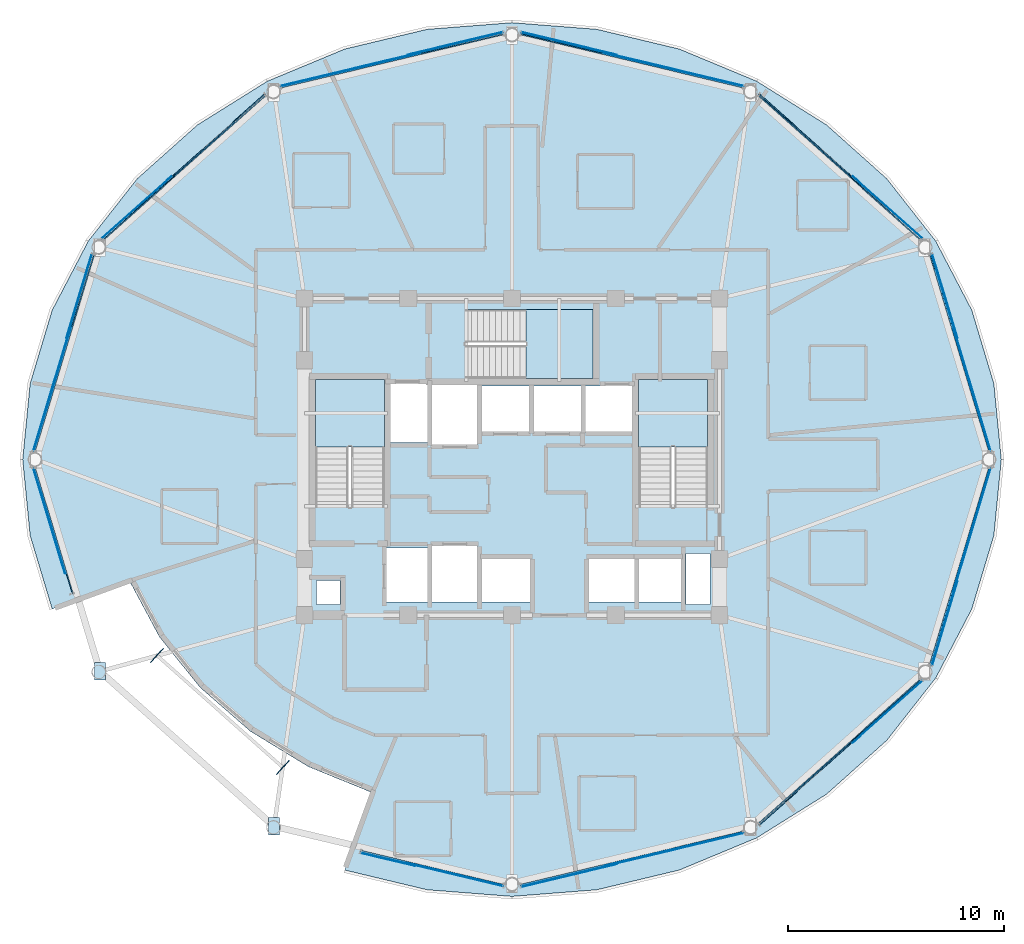
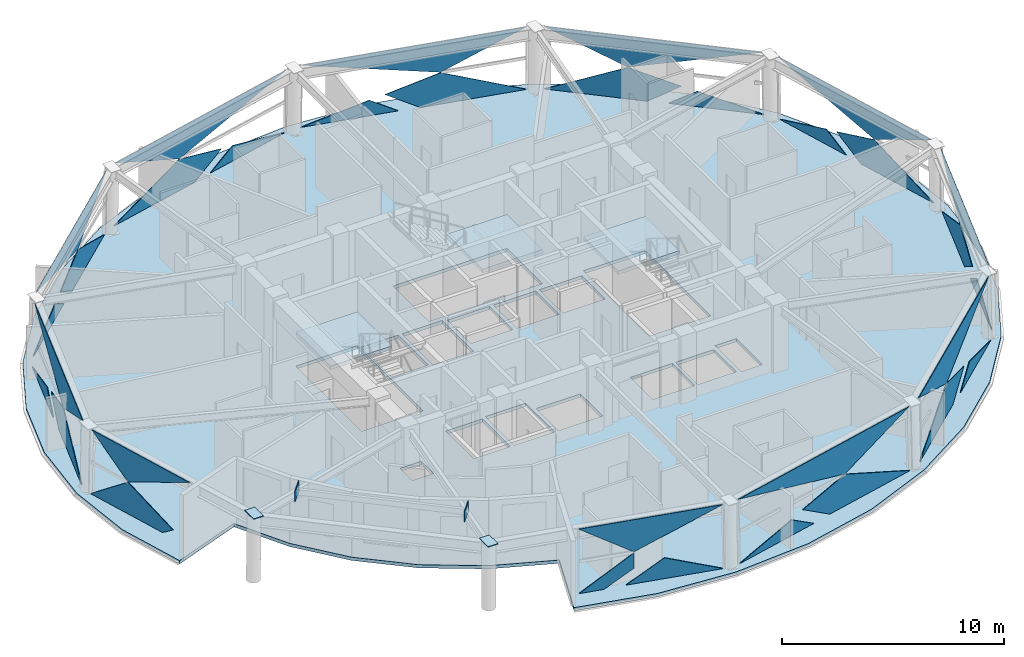
# One storey, part 9 of 18: 36 plates, 4 slabs, 14 elements without a shape of their own.
"""IFC4 building model written with IfcOpenShell, lengths in metres."""

from ifc_helpers import new_model, si_unit, direction, frame, origin, origin_2d, place, context, subcontext, project, spatial, polyline, rectangle, outline, extrude, material, layer, layer_set, type_object, element, aggregate, save


model = new_model("IFC4")

# Units and contexts
model_context = context("Model", 3, precision=1e-05, world=origin(), true_north=direction((0.0, 1.0)))
body_context = subcontext(model_context, "Body", "Model", "MODEL_VIEW")
ifc_project = project(units=[si_unit("LENGTHUNIT", "METRE"), si_unit("AREAUNIT", "SQUARE_METRE"), si_unit("VOLUMEUNIT", "CUBIC_METRE"), si_unit("PLANEANGLEUNIT", "RADIAN"), si_unit("MASSUNIT", "GRAM", prefix="KILO")], contexts=[model_context])

# Site, building, storey
site_placement = place(None, origin())
site = spatial("IfcSite", under=ifc_project, at=site_placement, CompositionType="ELEMENT")
building_placement = place(site_placement, origin())
building = spatial("IfcBuilding", under=site, at=building_placement, Name="Vantalir Tower", CompositionType="ELEMENT")
storey_placement = place(building_placement, frame((0.0, 0.0, 216.14990234375)))
storey = spatial("IfcBuildingStorey", under=building, at=storey_placement, Name="L54", CompositionType="ELEMENT", Elevation=216.14990234375)

# Curtain wall, plates
ifc_material_1 = material(Name="Champagne-silver PVDF aluminium and double-silver Low-E glass", Category="aluminium")
ifc_layer_1 = layer(ifc_material_1, 0.2099609375)
ifc_layer_set_1 = layer_set([ifc_layer_1], Name="Champagne-silver PVDF aluminium and double-silver Low-E glass")
curtain_wall_type = type_object("IfcCurtainWallType", Name="CW-DIAMOND-Z3", PredefinedType="USERDEFINED", material=ifc_layer_set_1)
curtain_wall_1_placement = place(storey_placement, origin())
curtain_wall_1 = element("IfcCurtainWall", 1, at=curtain_wall_1_placement, inside=storey, type_object=curtain_wall_type, Name="L54 Quilted Pyramid-Diamond Curtain Wall S01", ObjectType="UNITISED CURTAIN WALL", PredefinedType="USERDEFINED")
ifc_material_2 = material(Name="Double-silver Low-E acoustic glass IGU", Category="glass")
ifc_layer_2 = layer(ifc_material_2, 0.031982421875)
ifc_layer_set_2 = layer_set([ifc_layer_2], Name="Double-silver Low-E acoustic glass IGU")
plate_type_1 = type_object("IfcPlateType", Name="CWP-IGU-32", PredefinedType="CURTAIN_PANEL", material=ifc_layer_set_2)
plate_1_placement = place(storey_placement, frame((53.654541015625, 25.406982421875, 0.047119140625), z_axis=(0.95760454725, 0.288010108952, 0.006611219886), x_axis=(-0.288016055523, 0.95762557858, -5.4872175e-05)))
plate_1 = element("IfcPlate", 2, at=plate_1_placement, type_object=plate_type_1, Name="CW-L54-S01 Pyramid Diamond Facet 1L", PredefinedType="CURTAIN_PANEL", context=body_context, shape_type="SweptSolid", body=[
    extrude(outline(polyline([(0.0, 0.0), (4.4546182034101145, -5.421010862427522e-20), (5.961575957374201, 1.04038892573257), (3.6214843118247773, 1.7255779356184748), (0.0, 0.0)])), origin(), (0.0, 0.0, -1.0), 0.031982421875),
])
plate_2_placement = place(storey_placement, frame((52.12744140625, 30.60986328125, 0.047119140625), z_axis=(0.957596155896, 0.288036523623, 0.00667557279), x_axis=(-0.288042941762, 0.957617493418, 0.0)))
plate_2 = element("IfcPlate", 3, at=plate_2_placement, type_object=plate_type_1, Name="CW-L54-S01 Pyramid Diamond Facet 1L Infill Light", PredefinedType="CURTAIN_PANEL", context=body_context, shape_type="SweptSolid", body=[
    extrude(outline(polyline([(0.0, 0.0), (4.0921361595915435, 0.0), (1.2188009298223506, 0.8413273401084321), (0.0, 0.0)])), origin(), (0.0, 0.0, -1.0), 0.031982421875),
])
plate_3_placement = place(storey_placement, frame((50.850341796875, 34.486083984375, 3.5234375), z_axis=(0.957076899774, 0.287832473998, 0.034004041396), x_axis=(0.287999864098, -0.957630449399, -2.5751061e-05)))
plate_3 = element("IfcPlate", 4, at=plate_3_placement, type_object=plate_type_1, Name="CW-L54-S01 Pyramid Diamond Facet 2U", PredefinedType="CURTAIN_PANEL", context=body_context, shape_type="SweptSolid", body=[
    extrude(outline(polyline([(0.0, 0.0), (9.480798744648109, -1.9651164376299768e-17), (5.880358123687033, 1.7266771986631684), (0.0, 0.0)])), origin(), (0.0, 0.0, -1.0), 0.031982421875),
])
aggregate(curtain_wall_1, [plate_1, plate_2, plate_3])

curtain_wall_2_placement = place(storey_placement, origin())
curtain_wall_2 = element("IfcCurtainWall", 5, at=curtain_wall_2_placement, inside=storey, type_object=curtain_wall_type, Name="L54 Quilted Pyramid-Diamond Curtain Wall S02", ObjectType="UNITISED CURTAIN WALL", PredefinedType="USERDEFINED")
plate_4_placement = place(storey_placement, frame((46.483154296875, 38.76513671875, 0.046875), z_axis=(0.665307498172, 0.746549951813, 0.005394657073), x_axis=(-0.746560815168, 0.665317179439, -1.4486e-08)))
plate_4 = element("IfcPlate", 6, at=plate_4_placement, type_object=plate_type_1, Name="CW-L54-S02 Pyramid Diamond Facet 1L", PredefinedType="CURTAIN_PANEL", context=body_context, shape_type="SweptSolid", body=[
    extrude(outline(polyline([(0.0, 0.0), (4.724148169923139, -1.734723475976807e-18), (0.8929710255732821, 1.7258552044430655), (-1.5848268188138863, 1.040542393567704), (0.0, 0.0)])), origin(), (0.0, 0.0, -1.0), 0.031982421875),
])
plate_5_placement = place(storey_placement, frame((50.498779296875, 35.234619140625, 0.046875), z_axis=(0.665306292756, 0.74655220943, 0.005228328077), x_axis=(-0.746562413296, 0.665315386155, 0.0)))
plate_5 = element("IfcPlate", 7, at=plate_5_placement, type_object=plate_type_1, Name="CW-L54-S02 Pyramid Diamond Facet 1L Infill Light", PredefinedType="CURTAIN_PANEL", context=body_context, shape_type="SweptSolid", body=[
    extrude(outline(polyline([(0.0, 0.0), (4.345110906473897, 0.0), (3.057291048070157, 0.8457146840597036), (0.0, 0.0)])), origin(), (0.0, 0.0, -1.0), 0.031982421875),
])
plate_6_placement = place(storey_placement, frame((42.919189453125, 41.852294921875, 3.523193359375), z_axis=(0.664961762498, 0.746153125687, 0.032884151871), x_axis=(0.746556353236, -0.66532218575, 2.4328891e-05)))
plate_6 = element("IfcPlate", 8, at=plate_6_placement, type_object=plate_type_1, Name="CW-L54-S02 Pyramid Diamond Facet 2U", PredefinedType="CURTAIN_PANEL", context=body_context, shape_type="SweptSolid", body=[
    extrude(outline(polyline([(0.0, 0.0), (10.035008323591855, 2.222614453595284e-17), (3.821622632324469, 1.7268569904928193), (0.0, 0.0)])), origin(), (0.0, 0.0, -1.0), 0.031982421875),
])
aggregate(curtain_wall_2, [plate_4, plate_5, plate_6])

curtain_wall_3_placement = place(storey_placement, origin())
curtain_wall_3 = element("IfcCurtainWall", 9, at=curtain_wall_3_placement, inside=storey, type_object=curtain_wall_type, Name="L54 Quilted Pyramid-Diamond Curtain Wall S03", ObjectType="UNITISED CURTAIN WALL", PredefinedType="USERDEFINED")
plate_7_placement = place(storey_placement, frame((42.225830078125, 42.289794921875, 0.046875), z_axis=(0.232273504654, 0.972639990188, 0.004524215222), x_axis=(-0.97264989201, 0.232276096875, -4.892923e-05)))
plate_7 = element("IfcPlate", 10, at=plate_7_placement, type_object=plate_type_1, Name="CW-L54-S03 Pyramid Diamond Facet 1L", PredefinedType="CURTAIN_PANEL", context=body_context, shape_type="SweptSolid", body=[
    extrude(outline(polyline([(0.0, 0.0), (4.982443629030497, -4.87890977618477e-19), (6.646710154073289, 1.040130786552828), (4.035457753960463, 1.7262896935429606), (0.0, 0.0)])), origin(), (0.0, 0.0, -1.0), 0.031982421875),
])
plate_8_placement = place(storey_placement, frame((36.378662109375, 43.722900390625, 0.046875), z_axis=(0.232290391461, 0.972636097823, 0.004493912174), x_axis=(-0.972645919285, 0.232292737077, 0.0)))
plate_8 = element("IfcPlate", 11, at=plate_8_placement, type_object=plate_type_1, Name="CW-L54-S03 Pyramid Diamond Facet 1L Infill Light", PredefinedType="CURTAIN_PANEL", context=body_context, shape_type="SweptSolid", body=[
    extrude(outline(polyline([(0.0, 0.0), (4.582377987333523, 8.673617379884035e-19), (1.3570361220314318, 0.8479089525334353), (0.0, 0.0)])), origin(), (0.0, 0.0, -1.0), 0.031982421875),
])
plate_9_placement = place(storey_placement, frame((31.913330078125, 44.687255859375, 3.523681640625), z_axis=(0.232139124389, 0.972163152551, 0.031784143075), x_axis=(0.972654750392, -0.232255755594, -2.3110025e-05)))
plate_9 = element("IfcPlate", 12, at=plate_9_placement, type_object=plate_type_1, Name="CW-L54-S03 Pyramid Diamond Facet 2U", PredefinedType="CURTAIN_PANEL", context=body_context, shape_type="SweptSolid", body=[
    extrude(outline(polyline([(0.0, 0.0), (10.56427331575007, -6.749158523722265e-18), (6.551699680172035, 1.7272837894415298), (0.0, 0.0)])), origin(), (0.0, 0.0, -1.0), 0.031982421875),
])
aggregate(curtain_wall_3, [plate_7, plate_8, plate_9])

curtain_wall_4_placement = place(storey_placement, origin())
curtain_wall_4 = element("IfcCurtainWall", 13, at=curtain_wall_4_placement, inside=storey, type_object=curtain_wall_type, Name="L54 Quilted Pyramid-Diamond Curtain Wall S04", ObjectType="UNITISED CURTAIN WALL", PredefinedType="USERDEFINED")
plate_10_placement = place(storey_placement, frame((25.620849609375, 43.44677734375, 0.046630859375), z_axis=(-0.232257495993, 0.972644253113, 0.004428593513), x_axis=(-0.972653739701, -0.232259984178, 4.8951783e-05)))
plate_10 = element("IfcPlate", 14, at=plate_10_placement, type_object=plate_type_1, Name="CW-L54-S04 Pyramid Diamond Facet 1L", PredefinedType="CURTAIN_PANEL", context=body_context, shape_type="SweptSolid", body=[
    extrude(outline(polyline([(0.0, 0.0), (4.9816745326677365, 1.0842021724855044e-19), (0.9466916161042193, 1.7262889476530454), (-1.6640291137241996, 1.0401304419649624), (0.0, 0.0)])), origin(), (0.0, 0.0, -1.0), 0.031982421875),
])
plate_11_placement = place(storey_placement, frame((31.078369140625, 44.787353515625, 0.046875), z_axis=(-0.232302408811, 0.972633135972, 0.004513720174), x_axis=(-0.972643044177, -0.232304775273, 0.0)))
plate_11 = element("IfcPlate", 15, at=plate_11_placement, type_object=plate_type_1, Name="CW-L54-S04 Pyramid Diamond Facet 1L Infill Light", PredefinedType="CURTAIN_PANEL", context=body_context, shape_type="SweptSolid", body=[
    extrude(outline(polyline([(0.0, 0.0), (4.582140525301842, -8.673617379884035e-19), (3.225104450535139, 0.8479090281782801), (0.0, 0.0)])), origin(), (0.0, 0.0, -1.0), 0.031982421875),
])
plate_12_placement = place(storey_placement, frame((20.812255859375, 42.233642578125, 3.5234375), z_axis=(-0.232158868198, 0.972153420101, 0.031937246332), x_axis=(0.972649763247, 0.232276640068, 2.3112103e-05)))
plate_12 = element("IfcPlate", 16, at=plate_12_placement, type_object=plate_type_1, Name="CW-L54-S04 Pyramid Diamond Facet 2U", PredefinedType="CURTAIN_PANEL", context=body_context, shape_type="SweptSolid", body=[
    extrude(outline(polyline([(0.0, 0.0), (10.563323460030409, -8.294146619514109e-18), (4.012156591387421, 1.7272922223718603), (0.0, 0.0)])), origin(), (0.0, 0.0, -1.0), 0.031982421875),
])
aggregate(curtain_wall_4, [plate_10, plate_11, plate_12])

curtain_wall_5_placement = place(storey_placement, origin())
curtain_wall_5 = element("IfcCurtainWall", 17, at=curtain_wall_5_placement, inside=storey, type_object=curtain_wall_type, Name="L54 Quilted Pyramid-Diamond Curtain Wall S05", ObjectType="UNITISED CURTAIN WALL", PredefinedType="USERDEFINED")
plate_13_placement = place(storey_placement, frame((20.044677734375, 41.908203125, 0.046875), z_axis=(-0.665283152326, 0.746572443175, 0.005283400597), x_axis=(-0.746582863398, -0.665292438015, 7.626e-09)))
plate_13 = element("IfcPlate", 18, at=plate_13_placement, type_object=plate_type_1, Name="CW-L54-S05 Pyramid Diamond Facet 1L", PredefinedType="CURTAIN_PANEL", context=body_context, shape_type="SweptSolid", body=[
    extrude(outline(polyline([(0.0, 0.0), (4.7243304381154445, 3.469446951953614e-18), (6.309339334520946, 1.040541818744279), (3.8315413638531344, 1.7258541731261956), (0.0, 0.0)])), origin(), (0.0, 0.0, -1.0), 0.031982421875),
])
plate_14_placement = place(storey_placement, frame((15.74560546875, 38.12548828125, 0.046875), z_axis=(-0.665250079549, 0.746601495408, 0.005342163976), x_axis=(-0.74661214916, -0.665259572443, 0.0)))
plate_14 = element("IfcPlate", 19, at=plate_14_placement, type_object=plate_type_1, Name="CW-L54-S05 Pyramid Diamond Facet 1L Infill Light", PredefinedType="CURTAIN_PANEL", context=body_context, shape_type="SweptSolid", body=[
    extrude(outline(polyline([(0.0, 0.0), (4.345475451045319, 0.0), (1.287819524247538, 0.8457151928989325), (0.0, 0.0)])), origin(), (0.0, 0.0, -1.0), 0.031982421875),
])
plate_15_placement = place(storey_placement, frame((12.589111328125, 35.17578125, 3.5234375), z_axis=(-0.664914530418, 0.746197380828, 0.032834982621), x_axis=(0.746599425628, 0.665273851178, -2.4327124e-05)))
plate_15 = element("IfcPlate", 20, at=plate_15_placement, type_object=plate_type_1, Name="CW-L54-S05 Pyramid Diamond Facet 2U", PredefinedType="CURTAIN_PANEL", context=body_context, shape_type="SweptSolid", body=[
    extrude(outline(polyline([(0.0, 0.0), (10.035737403562766, -1.6750923564901044e-17), (6.213928824521019, 1.726854195198198), (0.0, 0.0)])), origin(), (0.0, 0.0, -1.0), 0.031982421875),
])
aggregate(curtain_wall_5, [plate_13, plate_14, plate_15])

curtain_wall_6_placement = place(storey_placement, origin())
curtain_wall_6 = element("IfcCurtainWall", 21, at=curtain_wall_6_placement, inside=storey, type_object=curtain_wall_type, Name="L54 Quilted Pyramid-Diamond Curtain Wall S06", ObjectType="UNITISED CURTAIN WALL", PredefinedType="USERDEFINED")
plate_16_placement = place(storey_placement, frame((10.62841796875, 29.6728515625, 0.046875), z_axis=(-0.95760454725, 0.288010108952, 0.006611219886), x_axis=(-0.288016055523, -0.95762557858, 5.4872175e-05)))
plate_16 = element("IfcPlate", 22, at=plate_16_placement, type_object=plate_type_1, Name="CW-L54-S06 Pyramid Diamond Facet 1L", PredefinedType="CURTAIN_PANEL", context=body_context, shape_type="SweptSolid", body=[
    extrude(outline(polyline([(0.0, 0.0), (4.4546182034101145, 5.421010862427522e-20), (0.8331338915853376, 1.7255779356184748), (-1.506957753964087, 1.04038892573257), (0.0, 0.0)])), origin(), (0.0, 0.0, -1.0), 0.031982421875),
])
plate_17_placement = place(storey_placement, frame((12.05126953125, 34.528564453125, 0.047119140625), z_axis=(-0.957596155896, 0.288036523623, 0.00667557279), x_axis=(-0.288042941762, -0.957617493418, 0.0)))
plate_17 = element("IfcPlate", 23, at=plate_17_placement, type_object=plate_type_1, Name="CW-L54-S06 Pyramid Diamond Facet 1L Infill Light", PredefinedType="CURTAIN_PANEL", context=body_context, shape_type="SweptSolid", body=[
    extrude(outline(polyline([(0.0, 0.0), (4.0921361595915435, 0.0), (2.873335229769193, 0.8413273401084321), (0.0, 0.0)])), origin(), (0.0, 0.0, -1.0), 0.031982421875),
])
plate_18_placement = place(storey_placement, frame((9.419189453125, 25.406982421875, 3.523193359375), z_axis=(-0.957076899774, 0.287832473998, 0.034004041396), x_axis=(0.287999864098, 0.957630449399, 2.5751061e-05)))
plate_18 = element("IfcPlate", 24, at=plate_18_placement, type_object=plate_type_1, Name="CW-L54-S06 Pyramid Diamond Facet 2U", PredefinedType="CURTAIN_PANEL", context=body_context, shape_type="SweptSolid", body=[
    extrude(outline(polyline([(0.0, 0.0), (9.480798744648109, 1.9651164376299768e-17), (3.6004406209610753, 1.7266771986631684), (0.0, 0.0)])), origin(), (0.0, 0.0, -1.0), 0.031982421875),
])
aggregate(curtain_wall_6, [plate_16, plate_17, plate_18])

curtain_wall_7_placement = place(storey_placement, origin())
curtain_wall_7 = element("IfcCurtainWall", 25, at=curtain_wall_7_placement, inside=storey, type_object=curtain_wall_type, Name="L54 Quilted Pyramid-Diamond Curtain Wall S07", ObjectType="UNITISED CURTAIN WALL", PredefinedType="USERDEFINED")
plate_19_placement = place(storey_placement, frame((9.34521484375, 24.59326171875, 0.048095703125), z_axis=(-0.957604673803, -0.288004805975, 0.00682058985), x_axis=(0.288011146533, -0.957627054998, -5.4855106e-05)))
plate_19 = element("IfcPlate", 26, at=plate_19_placement, type_object=plate_type_1, Name="CW-L54-S07 Pyramid Diamond Facet 1L", PredefinedType="CURTAIN_PANEL", context=body_context, shape_type="SweptSolid", body=[
    extrude(outline(polyline([(0.0, 0.0), (4.456395403696231, -1.2739375526704677e-18), (5.097200352702699, 0.44242857111075945), (2.3073494585652456, 1.7233108733870985), (0.0, 0.0)])), origin(), (0.0, 0.0, -1.0), 0.031982421875),
])
plate_20_placement = place(storey_placement, frame((11.157958984375, 18.8115234375, 3.5224609375), z_axis=(-0.957079627106, -0.287824217123, 0.033997167763), x_axis=(-0.287993329722, 0.957632411468, -8.0874285e-05)))
plate_20 = element("IfcPlate", 27, at=plate_20_placement, type_object=plate_type_1, Name="CW-L54-S07 Pyramid Diamond Facet 2U", PredefinedType="CURTAIN_PANEL", context=body_context, shape_type="SweptSolid", body=[
    extrude(outline(polyline([(0.0, 0.0), (6.037534039166458, 9.107298248878237e-18), (3.7513932100258685, 1.7243262095135388), (0.0, 0.0)])), origin(), (0.0, 0.0, -1.0), 0.031982421875),
])
aggregate(curtain_wall_7, [plate_19, plate_20])

curtain_wall_8_placement = place(storey_placement, origin())
curtain_wall_8 = element("IfcCurtainWall", 28, at=curtain_wall_8_placement, inside=storey, type_object=curtain_wall_type, Name="L54 Quilted Pyramid-Diamond Curtain Wall S09", ObjectType="UNITISED CURTAIN WALL", PredefinedType="USERDEFINED")
plate_21_placement = place(storey_placement, frame((26.631103515625, 6.311767578125, 0.047607421875), z_axis=(-0.232249841092, -0.972647097125, 0.004199495931), x_axis=(0.972655620566, -0.232252106429, -5.3293278e-05)))
plate_21 = element("IfcPlate", 29, at=plate_21_placement, type_object=plate_type_1, Name="CW-L54-S09 Pyramid Diamond Facet 1L", PredefinedType="CURTAIN_PANEL", context=body_context, shape_type="SweptSolid", body=[
    extrude(outline(polyline([(0.0, 0.0), (4.581077261734744, 0.0), (1.81531926837113, 1.1343840925860929), (0.0, 0.0)])), origin(), (0.0, 0.0, -1.0), 0.031982421875),
])
plate_22_placement = place(storey_placement, frame((24.478759765625, 6.78857421875, 0.048095703125), z_axis=(-0.232114254368, -0.972679837315, 0.004111812195), x_axis=(0.972687839102, -0.232117047905, -0.00020912634)))
plate_22 = element("IfcPlate", 30, at=plate_22_placement, type_object=plate_type_1, Name="CW-L54-S09 Pyramid Diamond Facet 1L Infill Light", PredefinedType="CURTAIN_PANEL", context=body_context, shape_type="SweptSolid", body=[
    extrude(outline(polyline([(0.0, 0.0), (1.1666189187992593, 2.439454888092385e-19), (2.5814437832183104, 0.8843364054985182), (2.581187198803148, 1.7241873897949849), (0.0, 0.0)])), origin(), (0.0, 0.0, -1.0), 0.031982421875),
])
plate_23_placement = place(storey_placement, frame((31.086669921875, 5.3125, 3.522705078125), z_axis=(-0.232148425051, -0.972159447293, 0.031829511247), x_axis=(-0.972652544316, 0.232264992481, -3.6116466e-05)))
plate_23 = element("IfcPlate", 31, at=plate_23_placement, type_object=plate_type_1, Name="CW-L54-S09 Pyramid Diamond Facet 2U", PredefinedType="CURTAIN_PANEL", context=body_context, shape_type="SweptSolid", body=[
    extrude(outline(polyline([(0.0, 0.0), (6.759814910576739, -4.336808689942018e-18), (4.188524403189228, 1.724843776542061), (0.0, 0.0)])), origin(), (0.0, 0.0, -1.0), 0.031982421875),
])
aggregate(curtain_wall_8, [plate_21, plate_22, plate_23])

curtain_wall_9_placement = place(storey_placement, origin())
curtain_wall_9 = element("IfcCurtainWall", 32, at=curtain_wall_9_placement, inside=storey, type_object=curtain_wall_type, Name="L54 Quilted Pyramid-Diamond Curtain Wall S10", ObjectType="UNITISED CURTAIN WALL", PredefinedType="USERDEFINED")
plate_24_placement = place(storey_placement, frame((37.379638671875, 6.552978515625, 0.046630859375), z_axis=(0.232273504654, -0.972639990188, 0.004524215222), x_axis=(0.97264989201, 0.232276096875, 4.892923e-05)))
plate_24 = element("IfcPlate", 33, at=plate_24_placement, type_object=plate_type_1, Name="CW-L54-S10 Pyramid Diamond Facet 1L", PredefinedType="CURTAIN_PANEL", context=body_context, shape_type="SweptSolid", body=[
    extrude(outline(polyline([(0.0, 0.0), (4.982443629030497, 4.87890977618477e-19), (0.9469858750700351, 1.7262896935429606), (-1.6642665250427915, 1.040130786552828), (0.0, 0.0)])), origin(), (0.0, 0.0, -1.0), 0.031982421875),
])
plate_25_placement = place(storey_placement, frame((31.921630859375, 5.212646484375, 0.046875), z_axis=(0.232290391461, -0.972636097823, 0.004493912174), x_axis=(0.972645919285, 0.232292737077, 0.0)))
plate_25 = element("IfcPlate", 34, at=plate_25_placement, type_object=plate_type_1, Name="CW-L54-S10 Pyramid Diamond Facet 1L Infill Light", PredefinedType="CURTAIN_PANEL", context=body_context, shape_type="SweptSolid", body=[
    extrude(outline(polyline([(0.0, 0.0), (4.582377987333523, -8.673617379884035e-19), (3.225341865302091, 0.8479089525334353), (0.0, 0.0)])), origin(), (0.0, 0.0, -1.0), 0.031982421875),
])
plate_26_placement = place(storey_placement, frame((42.188720703125, 7.766357421875, 3.5234375), z_axis=(0.232139124389, -0.972163152551, 0.031784143075), x_axis=(-0.972654750392, -0.232255755594, 2.3110025e-05)))
plate_26 = element("IfcPlate", 35, at=plate_26_placement, type_object=plate_type_1, Name="CW-L54-S10 Pyramid Diamond Facet 2U", PredefinedType="CURTAIN_PANEL", context=body_context, shape_type="SweptSolid", body=[
    extrude(outline(polyline([(0.0, 0.0), (10.56427331575007, 6.749158523722265e-18), (4.0125736355780335, 1.7272837894415298), (0.0, 0.0)])), origin(), (0.0, 0.0, -1.0), 0.031982421875),
])
aggregate(curtain_wall_9, [plate_24, plate_25, plate_26])

curtain_wall_10_placement = place(storey_placement, origin())
curtain_wall_10 = element("IfcCurtainWall", 36, at=curtain_wall_10_placement, inside=storey, type_object=curtain_wall_type, Name="L54 Quilted Pyramid-Diamond Curtain Wall S11", ObjectType="UNITISED CURTAIN WALL", PredefinedType="USERDEFINED")
plate_27_placement = place(storey_placement, frame((42.956298828125, 8.091552734375, 0.046875), z_axis=(0.665276684601, -0.746576880396, 0.005467594015), x_axis=(0.746588039766, 0.665286629115, 5.0434e-08)))
plate_27 = element("IfcPlate", 37, at=plate_27_placement, type_object=plate_type_1, Name="CW-L54-S11 Pyramid Diamond Facet 1L", PredefinedType="CURTAIN_PANEL", context=body_context, shape_type="SweptSolid", body=[
    extrude(outline(polyline([(0.0, 0.0), (4.724330437919381, 1.734723475976807e-18), (6.308812367663176, 1.0405425789810738), (3.831176821675129, 1.7258559202358346), (0.0, 0.0)])), origin(), (0.0, 0.0, -1.0), 0.031982421875),
])
plate_28_placement = place(storey_placement, frame((47.255126953125, 11.8740234375, 0.046875), z_axis=(0.665270540668, -0.746582008896, 0.005514681491), x_axis=(0.746593361573, 0.665280656907, 0.0)))
plate_28 = element("IfcPlate", 38, at=plate_28_placement, type_object=plate_type_1, Name="CW-L54-S11 Pyramid Diamond Facet 1L Infill Light", PredefinedType="CURTAIN_PANEL", context=body_context, shape_type="SweptSolid", body=[
    extrude(outline(polyline([(0.0, 0.0), (4.344603783931998, -1.734723475976807e-18), (1.2879820733586986, 0.8457159849332365), (0.0, 0.0)])), origin(), (0.0, 0.0, -1.0), 0.031982421875),
])
plate_29_placement = place(storey_placement, frame((50.410888671875, 14.82421875, 3.5234375), z_axis=(0.66495944892, -0.746150533482, 0.032989584354), x_axis=(-0.746556353236, -0.66532218575, -2.4328891e-05)))
plate_29 = element("IfcPlate", 39, at=plate_29_placement, type_object=plate_type_1, Name="CW-L54-S11 Pyramid Diamond Facet 2U", PredefinedType="CURTAIN_PANEL", context=body_context, shape_type="SweptSolid", body=[
    extrude(outline(polyline([(0.0, 0.0), (10.035008323591855, 1.7509865085640897e-17), (6.213548123441643, 1.7268629897727168), (0.0, 0.0)])), origin(), (0.0, 0.0, -1.0), 0.031982421875),
])
aggregate(curtain_wall_10, [plate_27, plate_28, plate_29])

curtain_wall_11_placement = place(storey_placement, origin())
curtain_wall_11 = element("IfcCurtainWall", 40, at=curtain_wall_11_placement, inside=storey, type_object=curtain_wall_type, Name="L54 Quilted Pyramid-Diamond Curtain Wall S12", ObjectType="UNITISED CURTAIN WALL", PredefinedType="USERDEFINED")
plate_30_placement = place(storey_placement, frame((52.37158203125, 20.326904296875, 0.046875), z_axis=(0.957618312408, -0.287964860491, 0.006588388544), x_axis=(0.287970765207, 0.957639198967, 5.4661464e-05)))
plate_30 = element("IfcPlate", 41, at=plate_30_placement, type_object=plate_type_1, Name="CW-L54-S12 Pyramid Diamond Facet 1L", PredefinedType="CURTAIN_PANEL", context=body_context, shape_type="SweptSolid", body=[
    extrude(outline(polyline([(0.0, 0.0), (4.454851999163616, 1.8973538018496328e-18), (0.8331340666020515, 1.7255778511178728), (-1.506887325384908, 1.0406316676022045), (0.0, 0.0)])), origin(), (0.0, 0.0, -1.0), 0.031982421875),
])
plate_31_placement = place(storey_placement, frame((50.94873046875, 15.470458984375, 0.047119140625), z_axis=(0.95761760146, -0.287971210206, 0.006411822396), x_axis=(0.287977129847, 0.957637286599, 0.0)))
plate_31 = element("IfcPlate", 42, at=plate_31_placement, type_object=plate_type_1, Name="CW-L54-S12 Pyramid Diamond Facet 1L Infill Light", PredefinedType="CURTAIN_PANEL", context=body_context, shape_type="SweptSolid", body=[
    extrude(outline(polyline([(0.0, 0.0), (4.093071342590703, -8.673617379884035e-19), (2.8741073103744004, 0.841570033641898), (0.0, 0.0)])), origin(), (0.0, 0.0, -1.0), 0.031982421875),
])
plate_32_placement = place(storey_placement, frame((53.580810546875, 24.593017578125, 3.523193359375), z_axis=(0.957075574037, -0.287832074199, 0.034044715365), x_axis=(-0.287999864098, -0.957630449399, 2.5751061e-05)))
plate_32 = element("IfcPlate", 43, at=plate_32_placement, type_object=plate_type_1, Name="CW-L54-S12 Pyramid Diamond Facet 2U", PredefinedType="CURTAIN_PANEL", context=body_context, shape_type="SweptSolid", body=[
    extrude(outline(polyline([(0.0, 0.0), (9.480798744648109, 1.1980434005964824e-17), (3.6006744174575105, 1.726679597018169), (0.0, 0.0)])), origin(), (0.0, 0.0, -1.0), 0.031982421875),
])
aggregate(curtain_wall_11, [plate_30, plate_31, plate_32])

# Plates
ifc_material_3 = material(Name="Steel S460", Category="steel")
ifc_layer_3 = layer(ifc_material_3, 0.035888671875)
ifc_layer_set_3 = layer_set([ifc_layer_3], Name="Steel S460")
plate_type_2 = type_object("IfcPlateType", Name="PLT-KN-Z2", PredefinedType="USERDEFINED", material=ifc_layer_set_3)
for number, where, z_axis, x_axis, name in (
    (44, (15.074951171875, 15.93896484375, 3.130126953125), (0.0, 0.0, 1.0), (0.746893557358, -0.664943617141, 0.0), "L54 Lintel Cap 1A"),
    (45, (20.89794921875, 10.7548828125, 3.130126953125), (0.0, 0.0, 1.0), (0.746893557358, -0.664943617141, 0.0), "L54 Lintel Cap 1B"),
):
    element("IfcPlate", number, at=place(storey_placement, frame(where, z_axis=z_axis, x_axis=x_axis)), inside=storey, type_object=plate_type_2, Name=name, ObjectType="FLANGE_PLATE", PredefinedType="USERDEFINED", context=body_context, shape_type="SweptSolid", body=[
        extrude(rectangle(XDim=0.035888671875, YDim=0.8798828125, at=origin_2d()), origin(), (0.0, 0.0, 1.0), 0.580078125),
    ])
ifc_layer_4 = layer(ifc_material_3, 0.031982421875)
ifc_layer_set_4 = layer_set([ifc_layer_4], Name="Steel S460")
plate_type_3 = type_object("IfcPlateType", Name="PLT-KN-Z3", PredefinedType="USERDEFINED", material=ifc_layer_set_4)
plate_33_placement = place(storey_placement, frame((12.176513671875, 15.602294921875, 3.59521484375), z_axis=(0.017847291684, 0.008849151639, 0.999801563659), x_axis=(2.4096e-08, -0.999960833019, 0.008850560888)))
element("IfcPlate", 46, at=plate_33_placement, inside=storey, type_object=plate_type_3, Name="L54 Ring Column Top Cap RC08", ObjectType="FLANGE_PLATE", PredefinedType="USERDEFINED", context=body_context, shape_type="SweptSolid", body=[
    extrude(outline(polyline([(0.0, 0.0), (0.8000801552902528, -2.710505431213761e-20), (0.7999980581191866, 0.519858172067454), (0.00016203389168247944, 0.5198582106256694), (0.0, 0.0)])), origin(), (0.0, 0.0, -1.0), 0.031982421875),
])
plate_34_placement = place(storey_placement, frame((20.233154296875, 8.429443359375, 3.590576171875), z_axis=(0.010330489638, 0.015562674155, 0.999825526858), x_axis=(2.4527e-08, -0.999878881331, 0.015563504385)))
element("IfcPlate", 47, at=plate_34_placement, inside=storey, type_object=plate_type_3, Name="L54 Ring Column Top Cap RC09", ObjectType="FLANGE_PLATE", PredefinedType="USERDEFINED", context=body_context, shape_type="SweptSolid", body=[
    extrude(outline(polyline([(0.0, 0.0), (0.8001457111436876, -2.710505431213761e-20), (0.8000621308571253, 0.5200472618332566), (0.00016053076845010618, 0.5200473010798625), (0.0, 0.0)])), origin(), (0.0, 0.0, -1.0), 0.031982421875),
])

# Stair, slab
ifc_material_4 = material(Name="Concrete C40/50", Category="concrete")
stair_type = type_object("IfcStairType", Name="STR-CORE-1450", PredefinedType="HALF_TURN_STAIR", material=ifc_material_4)
stair_1_placement = place(storey_placement, origin())
stair_1 = element("IfcStair", 48, at=stair_1_placement, inside=storey, type_object=stair_type, Name="L54 Core Exit Stair 1", PredefinedType="HALF_TURN_STAIR")
ifc_layer_5 = layer(ifc_material_4, 0.199951171875)
ifc_layer_set_5 = layer_set([ifc_layer_5], Name="Concrete C40/50")
slab_type_1 = type_object("IfcSlabType", Name="SL-LAND-200", PredefinedType="LANDING", material=ifc_layer_set_5)
slab_1_placement = place(storey_placement, frame((0.0, 0.0, 1.675048828125)))
slab_1 = element("IfcSlab", 49, at=slab_1_placement, type_object=slab_type_1, Name="ST1 landing 1", PredefinedType="LANDING", context=body_context, shape_type="SweptSolid", body=[
    extrude(outline(polyline([(25.60009765625, 25.590087890625), (25.60009765625, 28.699951171875), (22.39990234375, 28.699951171875), (22.39990234375, 25.590087890625), (25.60009765625, 25.590087890625)])), origin(), (0.0, 0.0, 1.0), 0.199951171875),
])
aggregate(stair_1, [slab_1])

stair_2_placement = place(storey_placement, origin())
stair_2 = element("IfcStair", 50, at=stair_2_placement, inside=storey, type_object=stair_type, Name="L54 Core Exit Stair 2", PredefinedType="HALF_TURN_STAIR")
slab_2_placement = place(storey_placement, frame((0.0, 0.0, 1.675048828125)))
slab_2 = element("IfcSlab", 51, at=slab_2_placement, type_object=slab_type_1, Name="ST2 landing 1", PredefinedType="LANDING", context=body_context, shape_type="SweptSolid", body=[
    extrude(outline(polyline([(40.550048828125, 25.590087890625), (40.550048828125, 28.699951171875), (37.35009765625, 28.699951171875), (37.35009765625, 25.590087890625), (40.550048828125, 25.590087890625)])), origin(), (0.0, 0.0, 1.0), 0.199951171875),
])
aggregate(stair_2, [slab_2])

stair_3_placement = place(storey_placement, origin())
stair_3 = element("IfcStair", 52, at=stair_3_placement, inside=storey, type_object=stair_type, Name="L54 Core Exit Stair 3", PredefinedType="HALF_TURN_STAIR")
slab_3_placement = place(storey_placement, frame((0.0, 0.0, 1.675048828125)))
slab_3 = element("IfcSlab", 53, at=slab_3_placement, type_object=slab_type_1, Name="ST3 landing 1", PredefinedType="LANDING", context=body_context, shape_type="SweptSolid", body=[
    extrude(outline(polyline([(32.139892578125, 28.75), (35.25, 28.75), (35.25, 31.949951171875), (32.139892578125, 31.949951171875), (32.139892578125, 28.75)])), origin(), (0.0, 0.0, 1.0), 0.199951171875),
])
aggregate(stair_3, [slab_3])

# Slab
ifc_layer_6 = layer(ifc_material_4, 0.179931640625)
ifc_layer_set_6 = layer_set([ifc_layer_6], Name="Concrete C40/50")
slab_type_2 = type_object("IfcSlabType", Name="SL-TWR-180", PredefinedType="FLOOR", material=ifc_layer_set_6)
slab_4_placement = place(storey_placement, frame((0.0, 0.0, -0.179931640625)))
element("IfcSlab", 54, at=slab_4_placement, inside=storey, type_object=slab_type_2, Name="L54 Primary Structural Slab", PredefinedType="FLOOR", context=body_context, shape_type="SweptSolid", body=[
    extrude(outline(polyline([(19.39208984375, 12.427978515625), (22.0810546875, 10.7880859375), (25.056884765625, 9.5791015625), (23.758056640625, 6.008056640625), (27.569091796875, 5.095947265625), (31.5, 4.7890625), (35.430908203125, 5.095947265625), (39.241943359375, 6.008056640625), (42.819091796875, 7.4970703125), (46.051025390625, 9.51708984375), (48.841064453125, 12.009033203125), (51.10400390625, 14.89404296875), (52.77197265625, 18.0869140625), (53.79296875, 21.489990234375), (54.136962890625, 25.0), (53.79296875, 28.510009765625), (52.77197265625, 31.9130859375), (51.10400390625, 35.10498046875), (48.841064453125, 37.990966796875), (46.051025390625, 40.48291015625), (42.819091796875, 42.5029296875), (39.241943359375, 43.991943359375), (35.430908203125, 44.904052734375), (31.5, 45.2109375), (27.569091796875, 44.904052734375), (23.758056640625, 43.991943359375), (20.181884765625, 42.5029296875), (16.948974609375, 40.48291015625), (14.158935546875, 37.990966796875), (11.89599609375, 35.10498046875), (10.22802734375, 31.9130859375), (9.20703125, 28.510009765625), (8.863037109375, 25.0), (9.20703125, 21.489990234375), (10.22802734375, 18.0869140625), (13.799072265625, 19.386962890625), (15.18701171875, 16.7939453125), (17.070068359375, 14.450927734375), (19.39208984375, 12.427978515625)]), holes=[polyline([(22.39990234375, 28.699951171875), (25.60009765625, 28.699951171875), (25.60009765625, 22.7900390625), (22.39990234375, 22.7900390625), (22.39990234375, 28.699951171875)]), polyline([(40.550048828125, 28.699951171875), (40.550048828125, 22.7900390625), (37.35009765625, 22.7900390625), (37.35009765625, 28.699951171875), (40.550048828125, 28.699951171875)]), polyline([(29.340087890625, 28.75), (29.340087890625, 31.949951171875), (35.25, 31.949951171875), (35.25, 28.75), (29.340087890625, 28.75)]), polyline([(25.699951171875, 18.39990234375), (25.699951171875, 20.89990234375), (27.60009765625, 20.89990234375), (27.60009765625, 18.39990234375), (25.699951171875, 18.39990234375)]), polyline([(25.699951171875, 28.5), (27.60009765625, 28.5), (27.60009765625, 25.800048828125), (25.699951171875, 25.800048828125), (25.699951171875, 28.5)]), polyline([(29.89990234375, 21.0), (29.89990234375, 18.39990234375), (27.800048828125, 18.39990234375), (27.800048828125, 21.0), (29.89990234375, 21.0)]), polyline([(29.89990234375, 25.699951171875), (27.800048828125, 25.699951171875), (27.800048828125, 28.5), (29.89990234375, 28.5), (29.89990234375, 25.699951171875)]), polyline([(30.10009765625, 18.39990234375), (30.10009765625, 20.39990234375), (32.39990234375, 20.39990234375), (32.39990234375, 18.39990234375), (30.10009765625, 18.39990234375)]), polyline([(37.35009765625, 20.39990234375), (39.35009765625, 20.39990234375), (39.35009765625, 18.39990234375), (37.35009765625, 18.39990234375), (37.35009765625, 20.39990234375)]), polyline([(37.199951171875, 20.39990234375), (37.199951171875, 18.39990234375), (35.0, 18.39990234375), (35.0, 20.39990234375), (37.199951171875, 20.39990234375)]), polyline([(32.300048828125, 26.300048828125), (30.10009765625, 26.300048828125), (30.10009765625, 28.39990234375), (32.300048828125, 28.39990234375), (32.300048828125, 26.300048828125)]), polyline([(32.5, 26.300048828125), (32.5, 28.39990234375), (34.699951171875, 28.39990234375), (34.699951171875, 26.300048828125), (32.5, 26.300048828125)]), polyline([(34.89990234375, 28.39990234375), (37.10009765625, 28.39990234375), (37.10009765625, 26.300048828125), (34.89990234375, 26.300048828125), (34.89990234375, 28.39990234375)]), polyline([(23.550048828125, 19.39990234375), (23.550048828125, 18.300048828125), (22.449951171875, 18.300048828125), (22.449951171875, 19.39990234375), (23.550048828125, 19.39990234375)]), polyline([(40.64990234375, 18.300048828125), (39.550048828125, 18.300048828125), (39.550048828125, 20.64990234375), (40.64990234375, 20.64990234375), (40.64990234375, 18.300048828125)])]), origin(), (0.0, 0.0, 1.0), 0.179931640625),
])

save(model, "model.ifc")
